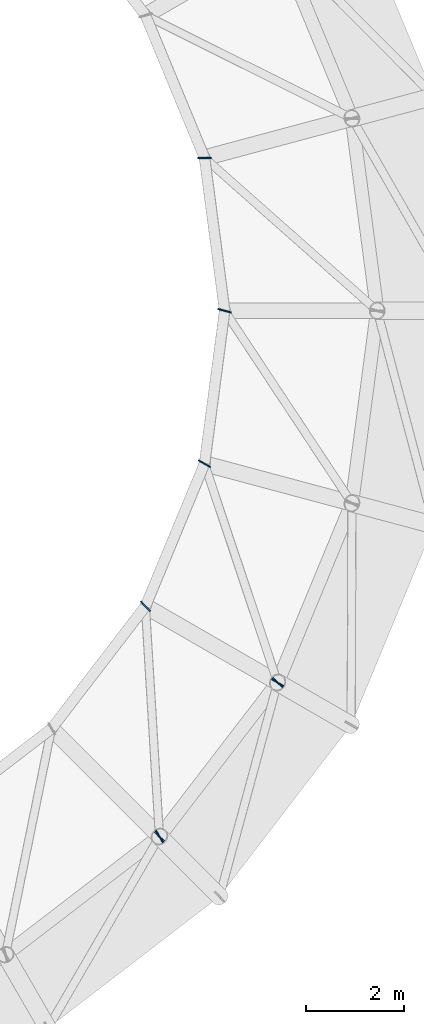
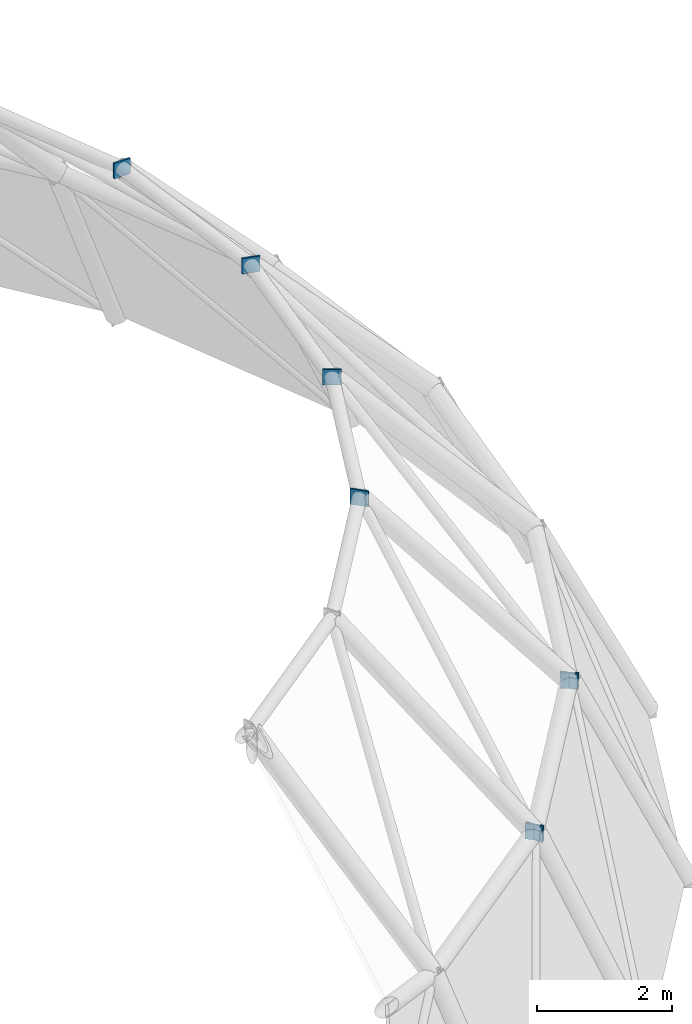
# One storey, part 40 of 48: 8 discrete accessories.
"""IFC4 building model written with IfcOpenShell, lengths in metres."""

from ifc_helpers import new_model, si_unit, direction, frame, origin, origin_2d, place, context, subcontext, project, spatial, rectangle, extrude, material, type_object, element, save


model = new_model("IFC4")

# Units and contexts
model_context = context("Model", 3, precision=1e-05, world=origin(), true_north=direction((0.0, 1.0)))
body_context = subcontext(model_context, "Body", "Model", "MODEL_VIEW")
ifc_project = project(units=[si_unit("LENGTHUNIT", "METRE"), si_unit("AREAUNIT", "SQUARE_METRE"), si_unit("VOLUMEUNIT", "CUBIC_METRE"), si_unit("PLANEANGLEUNIT", "RADIAN"), si_unit("MASSUNIT", "GRAM", prefix="KILO")], contexts=[model_context])

# Site, building, storey
site_placement = place(None, origin())
site = spatial("IfcSite", under=ifc_project, at=site_placement, CompositionType="ELEMENT")
building_placement = place(site_placement, origin())
building = spatial("IfcBuilding", under=site, at=building_placement, Name="Kandorven Conservatory and Botanical Research Centre", CompositionType="ELEMENT")
storey_placement = place(building_placement, frame((0.0, 0.0, 13.199951171875)))
storey = spatial("IfcBuildingStorey", under=building, at=storey_placement, Name="L03", CompositionType="ELEMENT", Elevation=13.199951171875)

# Discrete accessories
ifc_material = material(Name="Steel S355 (IS 2062 E350)", Category="steel")
discrete_accessory_type = type_object("IfcDiscreteAccessoryType", Name="BraceGussetPlate", PredefinedType="BRACKET", material=ifc_material)
for number, where, z_axis, x_axis, name in (
    (1, (98.27734375, 37.122802734375, 1.06005859375), (0.0, 0.0, 1.0), (0.5, -0.866025403784, 0.0), "Conservatory dome node gusset plate T1-S21-B"),
    (2, (100.677001953125, 40.25, 1.06005859375), (0.0, 0.0, 1.0), (0.707106781187, -0.707106781187, 0.0), "Conservatory dome node gusset plate T1-S22-B"),
    (3, (99.191162109375, 50.90576171875, 4.35986328125), (0.0, 0.0, 1.0), (1.0, 0.0, 0.0), "Conservatory dome node gusset plate T2-S01-B"),
    (4, (98.27734375, 37.122802734375, 1.06005859375), (0.0, 0.0, 1.0), (0.707106781187, -0.707106781187, 0.0), "Conservatory dome node gusset plate T2-S22-A"),
    (5, (97.9921875, 41.800048828125, 4.35986328125), (0.0, 0.0, 1.0), (0.707106781187, -0.707106781187, 0.0), "Conservatory dome node gusset plate T2-S22-B"),
    (6, (100.677001953125, 40.25, 1.06005859375), (0.0, 0.0, 1.0), (0.866025403784, -0.5, 0.0), "Conservatory dome node gusset plate T2-S23-A"),
    (7, (99.191162109375, 44.694091796875, 4.35986328125), (0.0, 0.0, 1.0), (0.866025403784, -0.5, 0.0), "Conservatory dome node gusset plate T2-S23-B"),
    (8, (99.60009765625, 47.800048828125, 4.35986328125), (0.0, 0.0, 1.0), (0.965925826289, -0.258819045103, 0.0), "Conservatory dome node gusset plate T2-S24-B"),
):
    element("IfcDiscreteAccessory", number, at=place(storey_placement, frame(where, z_axis=z_axis, x_axis=x_axis)), inside=storey, type_object=discrete_accessory_type, Name=name, PredefinedType="BRACKET", context=body_context, shape_type="SweptSolid", body=[
        extrude(rectangle(XDim=0.280029296875, YDim=0.028076171875, at=origin_2d()), origin(), (0.0, 0.0, 1.0), 0.280029296875),
    ])

save(model, "model.ifc")
